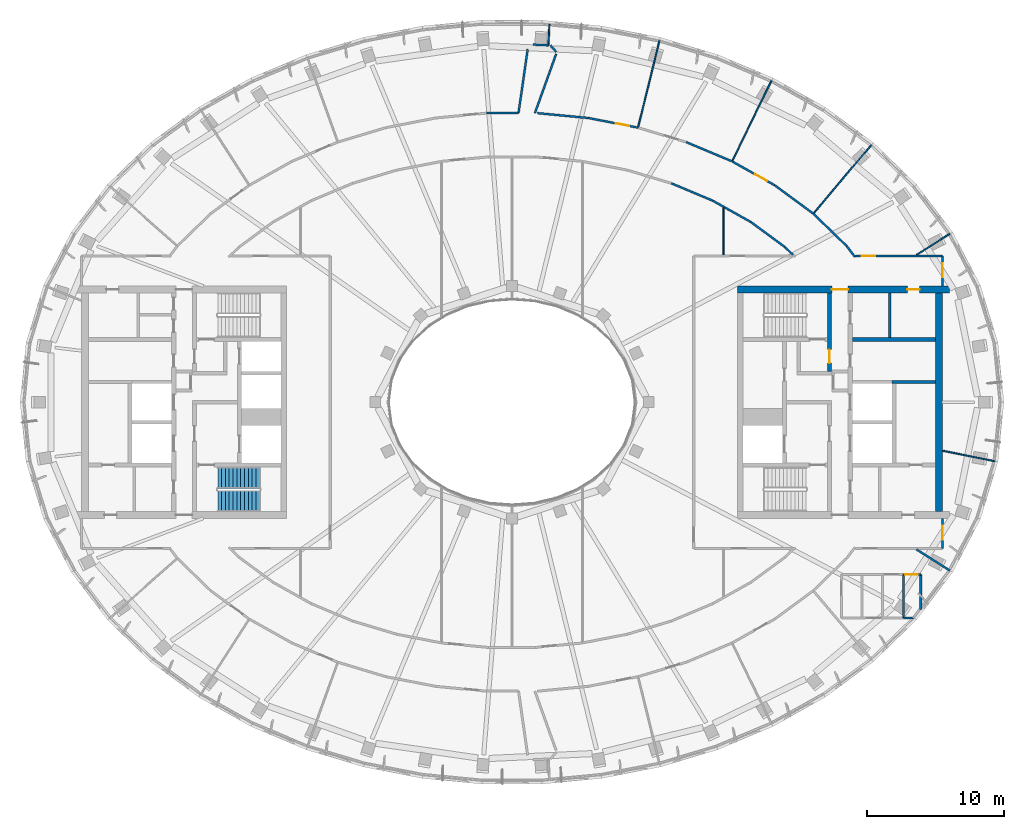
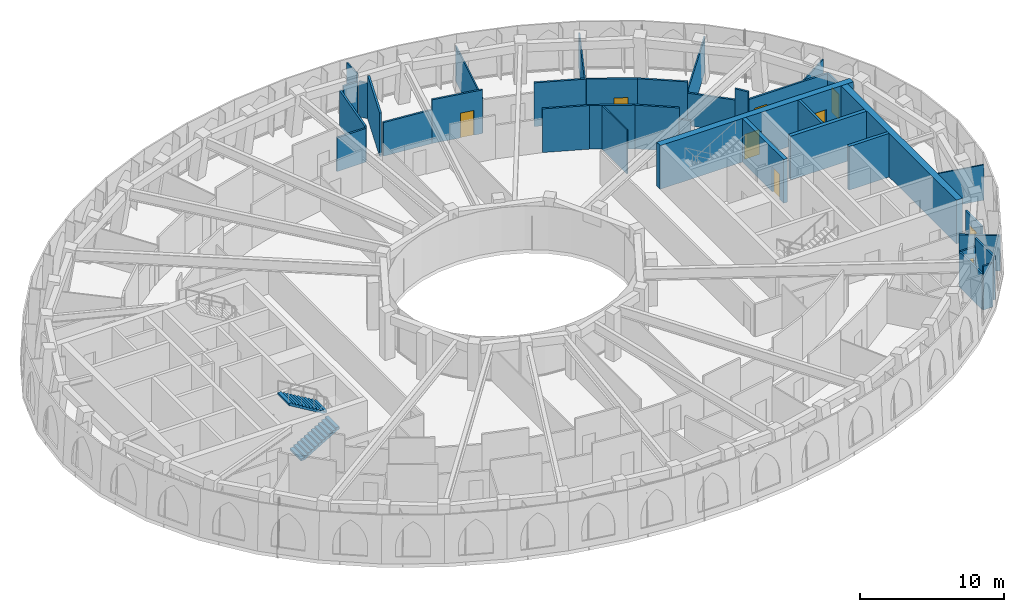
# One storey, part 7 of 15: 37 walls, 9 doors, 2 stair flights, 9 openings, 1 element without a shape of its own.
"""IFC4 building model written with IfcOpenShell, lengths in metres."""

import ifcopenshell
import ifcopenshell.guid

model = None  # the IFC model being written
_history = None  # IfcOwnerHistory: only IFC2X3 demands one
_inside = {}  # id of a spatial element -> (the spatial element, [elements in it])
_under = {}  # id of a project, library or spatial element -> (it, [spatial elements below it])
_declared = {}  # id of a project -> (the project, [libraries it declares])
_typed = {}  # id of a type object -> (the type object, [elements of that type])
_made_of = {}  # id of a material, layer set ... -> (it, [elements and type objects made of it])


def new_model(schema):
    """Start an empty IFC model of exactly this schema.

    Asked for "IFC4X3", IfcOpenShell would pick the latest addendum, in which some entities
    have other attributes; the version numbers below select the first issue.
    IFC2X3 requires an IfcOwnerHistory on every rooted entity: one is made here for all.
    """
    global model, _history
    if schema == "IFC4X3":
        model = ifcopenshell.file(schema_version=(4, 3, 0, 0))
    else:
        model = ifcopenshell.file(schema=schema)
    _inside.clear()
    _under.clear()
    _declared.clear()
    _typed.clear()
    _made_of.clear()
    _history = None
    if model.schema == "IFC2X3":
        org = make("IfcOrganization", Name="unknown")
        user = make(
            "IfcPersonAndOrganization",
            ThePerson=make("IfcPerson", FamilyName="unknown"),
            TheOrganization=org,
        )
        app = make(
            "IfcApplication",
            ApplicationDeveloper=org,
            Version="unknown",
            ApplicationFullName="unknown",
            ApplicationIdentifier="unknown",
        )
        _history = make(
            "IfcOwnerHistory",
            OwningUser=user,
            OwningApplication=app,
            ChangeAction="ADDED",
            CreationDate=0,
        )
    return model


def make(cls, **values):
    """One entity of the class cls with the attributes given. An attribute that is None is left unset."""
    return model.create_entity(
        cls, **{name: value for name, value in values.items() if value is not None}
    )


def rooted(cls, **values):
    """An entity with a GlobalId (a new one), such as an element, a storey or a relation."""
    return make(cls, GlobalId=ifcopenshell.guid.new(), OwnerHistory=_history, **values)


def si_unit(unit_type, name, prefix=None):
    """IfcSIUnit, for example si_unit("LENGTHUNIT", "METRE", prefix="MILLI")."""
    return make("IfcSIUnit", UnitType=unit_type, Prefix=prefix, Name=name)


def assignment(units):
    """IfcUnitAssignment: the units of a project."""
    return None if units is None else make("IfcUnitAssignment", Units=units)


def point(xyz):
    """IfcCartesianPoint."""
    return None if xyz is None else make("IfcCartesianPoint", Coordinates=xyz)


def direction(xyz):
    """IfcDirection."""
    return None if xyz is None else make("IfcDirection", DirectionRatios=xyz)


def frame(location, z_axis=None, x_axis=None):
    """IfcAxis2Placement3D, a coordinate frame: its origin and axes. An axis left out is left unset."""
    return make(
        "IfcAxis2Placement3D",
        Location=point(location),
        Axis=direction(z_axis),
        RefDirection=direction(x_axis),
    )


def frame_2d(location, x_axis=None):
    """IfcAxis2Placement2D, a coordinate frame in the plane: its origin and x axis."""
    return make(
        "IfcAxis2Placement2D", Location=point(location), RefDirection=direction(x_axis)
    )


def origin():
    """The frame at (0, 0, 0) with its axes left unset."""
    return frame((0.0, 0.0, 0.0))


def place(relative_to, where):
    """IfcLocalPlacement: puts the frame where relative to a parent placement (None: the world)."""
    return make(
        "IfcLocalPlacement", PlacementRelTo=relative_to, RelativePlacement=where
    )


def context(
    kind, dimensions, precision=None, world=None, true_north=None, identifier=None
):
    """IfcGeometricRepresentationContext, for example the 3D "Model" context."""
    return make(
        "IfcGeometricRepresentationContext",
        ContextIdentifier=identifier,
        ContextType=kind,
        CoordinateSpaceDimension=dimensions,
        Precision=precision,
        WorldCoordinateSystem=world,
        TrueNorth=true_north,
    )


def subcontext(parent, identifier, kind, view, scale=None):
    """IfcGeometricRepresentationSubContext, for example "Body" below "Model"."""
    return make(
        "IfcGeometricRepresentationSubContext",
        ContextIdentifier=identifier,
        ContextType=kind,
        ParentContext=parent,
        TargetScale=scale,
        TargetView=view,
    )


def project(units=None, contexts=None):
    """IfcProject with its units and contexts."""
    return rooted(
        "IfcProject",
        Name="project",
        RepresentationContexts=contexts,
        UnitsInContext=assignment(units),
    )


def spatial(cls, under=None, at=None, **own):
    """A site, building, storey or space (cls), placed at a placement, below another one or the project."""
    s = rooted(cls, ObjectPlacement=at, **own)
    if under is not None:
        _under.setdefault(under.id(), (under, []))[1].append(s)
    return s


def polyline(points):
    """IfcPolyline through the points."""
    return make("IfcPolyline", Points=[point(p) for p in points])


def profile(cls, at=None, kind="AREA", **sizes):
    """A parametric profile (cls). Its sizes go by their IFC names, for example OverallWidth=200.0."""
    return make(cls, ProfileType=kind, Position=at, **sizes)


def rectangle(**sizes):
    """IfcRectangleProfileDef."""
    return profile("IfcRectangleProfileDef", **sizes)


def outline(outer, holes=None, kind="AREA"):
    """IfcArbitraryClosedProfileDef: a profile drawn as a closed curve; with holes, ...WithVoids."""
    if holes is None:
        return make("IfcArbitraryClosedProfileDef", ProfileType=kind, OuterCurve=outer)
    return make(
        "IfcArbitraryProfileDefWithVoids",
        ProfileType=kind,
        OuterCurve=outer,
        InnerCurves=holes,
    )


def extrude(swept, where, along, depth):
    """IfcExtrudedAreaSolid: the profile swept, set in the frame where, extruded along a direction by depth."""
    return make(
        "IfcExtrudedAreaSolid",
        SweptArea=swept,
        Position=where,
        ExtrudedDirection=direction(along),
        Depth=depth,
    )


def shape(context_of_items, identifier, shape_type, items):
    """IfcShapeRepresentation: the items that make up one representation, for example the "Body"."""
    return make(
        "IfcShapeRepresentation",
        ContextOfItems=context_of_items,
        RepresentationIdentifier=identifier,
        RepresentationType=shape_type,
        Items=items,
    )


def material(Name=None, Category=None):
    """IfcMaterial."""
    return make("IfcMaterial", Name=Name, Category=Category)


def layer(
    of_material, thickness, ventilated=None, Name=None, Category=None, Priority=None
):
    """IfcMaterialLayer: one layer of a wall or slab, of a material (None: an air gap)."""
    return make(
        "IfcMaterialLayer",
        Material=of_material,
        LayerThickness=thickness,
        IsVentilated=ventilated,
        Name=Name,
        Category=Category,
        Priority=Priority,
    )


def layer_set(layers, Name=None):
    """IfcMaterialLayerSet."""
    return make("IfcMaterialLayerSet", MaterialLayers=layers, LayerSetName=Name)


def made_of(thing, what):
    """Note that an element or type object is made of a material, layer set ...; save() writes the relation."""
    if what is not None:
        _made_of.setdefault(what.id(), (what, []))[1].append(thing)
    return thing


def type_object(cls, material=None, **own):
    """A type object (cls), such as IfcWallType, which elements share."""
    return made_of(rooted(cls, **own), material)


def element(
    cls,
    number,
    at=None,
    inside=None,
    cuts=None,
    type_object=None,
    material=None,
    context=None,
    identifier="Body",
    shape_type=None,
    held_by="IfcProductDefinitionShape",
    body=None,
    shapes=None,
    **own,
):
    """One element of the class cls, such as IfcWall. Its Tag is "e" and its number.

    at: its placement. inside: the storey or other place that contains it. cuts: it is an
    opening in that element (IfcRelVoidsElement). A single representation is given by context,
    identifier, shape_type and body (its items); several are given by shapes. held_by: the class
    of the entity that holds the representations. save() writes the other relations.
    """
    e = rooted(cls, Tag="e%d" % number, ObjectPlacement=at, **own)
    if body is not None:
        shapes = [shape(context, identifier, shape_type, body)]
    if shapes is not None:
        e.Representation = make(held_by, Representations=shapes)
    if inside is not None:
        _inside.setdefault(inside.id(), (inside, []))[1].append(e)
    if cuts is not None:
        rooted(
            "IfcRelVoidsElement", RelatingBuildingElement=cuts, RelatedOpeningElement=e
        )
    if type_object is not None:
        _typed.setdefault(type_object.id(), (type_object, []))[1].append(e)
    return made_of(e, material)


def fill(opening, filler):
    """IfcRelFillsElement: the door or window that sits in an opening."""
    return rooted(
        "IfcRelFillsElement",
        RelatingOpeningElement=opening,
        RelatedBuildingElement=filler,
    )


def aggregate(whole, parts):
    """IfcRelAggregates: a whole, such as a stair, and the parts it consists of."""
    return rooted("IfcRelAggregates", RelatingObject=whole, RelatedObjects=parts)


def save(model, path):
    """Write the relations noted so far, then the file.

    IfcRelAggregates (storeys below a building ...), IfcRelContainedInSpatialStructure (elements
    in a storey), IfcRelDefinesByType, IfcRelAssociatesMaterial and IfcRelDeclares: one each for
    every whole, place, type object, material and project.
    """
    for whole, parts in _under.values():
        aggregate(whole, parts)
    for where, things in _inside.values():
        rooted(
            "IfcRelContainedInSpatialStructure",
            RelatedElements=things,
            RelatingStructure=where,
        )
    for kind, things in _typed.values():
        rooted("IfcRelDefinesByType", RelatedObjects=things, RelatingType=kind)
    for what, things in _made_of.values():
        rooted("IfcRelAssociatesMaterial", RelatedObjects=things, RelatingMaterial=what)
    for by, libraries in _declared.values():
        rooted("IfcRelDeclares", RelatingContext=by, RelatedDefinitions=libraries)
    model.write(path)


model = new_model("IFC4")

# Units and contexts
model_context = context("Model", 3, precision=1e-05, world=origin(), true_north=direction((0.0, 1.0)))
body_context = subcontext(model_context, "Body", "Model", "MODEL_VIEW")
ifc_project = project(units=[si_unit("LENGTHUNIT", "METRE"), si_unit("AREAUNIT", "SQUARE_METRE"), si_unit("VOLUMEUNIT", "CUBIC_METRE"), si_unit("PLANEANGLEUNIT", "RADIAN"), si_unit("MASSUNIT", "GRAM", prefix="KILO")], contexts=[model_context])

# Site, building, storey
site_placement = place(None, origin())
site = spatial("IfcSite", under=ifc_project, at=site_placement, CompositionType="ELEMENT")
building_placement = place(site_placement, origin())
building = spatial("IfcBuilding", under=site, at=building_placement, Name="Noorbagh Ring Tower", CompositionType="ELEMENT")
storey_placement = place(building_placement, frame((0.0, 0.0, 331.0)))
storey = spatial("IfcBuildingStorey", under=building, at=storey_placement, Name="L72", CompositionType="ELEMENT", Elevation=331.0)

# Walls
ifc_material_1 = material(Name="Gypsum board on steel studs", Category="steel")
ifc_layer_1 = layer(ifc_material_1, 0.14990234375)
ifc_layer_set_1 = layer_set([ifc_layer_1], Name="Gypsum board on steel studs")
wall_type_1 = type_object("IfcWallType", Name="COMPARTMENT PARTITION 150 EI 60", PredefinedType="PARTITIONING", material=ifc_layer_set_1)
wall_1_placement = place(storey_placement, frame((28.633056640625, -15.800048828125, 0.0), z_axis=(0.0, 0.0, 1.0), x_axis=(0.0, 1.0, 0.0)))
element("IfcWall", 1, at=wall_1_placement, inside=storey, type_object=wall_type_1, Name="L72/wall/P113", PredefinedType="PARTITIONING", context=body_context, shape_type="SweptSolid", body=[
    extrude(rectangle(XDim=3.199951171875, YDim=0.14990234375, at=frame_2d((1.60009765625, 0.0))), origin(), (0.0, 0.0, 1.0), 3.0),
])
wall_2_placement = place(storey_placement, frame((28.633056640625, -15.800048828125, 0.0), z_axis=(0.0, 0.0, 1.0), x_axis=(1.0, 0.0, 0.0)))
element("IfcWall", 2, at=wall_2_placement, inside=storey, type_object=wall_type_1, Name="L72/wall/P114", PredefinedType="PARTITIONING", context=body_context, shape_type="SweptSolid", body=[
    extrude(rectangle(XDim=0.7490234375, YDim=0.14990234375, at=frame_2d((0.37451171875, 0.0))), origin(), (0.0, 0.0, 1.0), 3.699951171875),
])

# Wall, opening, door
wall_3_placement = place(storey_placement, frame((28.633056640625, -12.60009765625, 0.0), z_axis=(0.0, 0.0, 1.0), x_axis=(1.0, 0.0, 0.0)))
wall_3 = element("IfcWall", 3, at=wall_3_placement, inside=storey, type_object=wall_type_1, Name="L72/wall/P115", PredefinedType="PARTITIONING", context=body_context, shape_type="SweptSolid", body=[
    extrude(rectangle(XDim=1.27587890625, YDim=0.14990234375, at=frame_2d((0.637939453125, 0.0))), origin(), (0.0, 0.0, 1.0), 3.0),
])
opening_1_placement = place(wall_3_placement, frame((0.14990234375, 0.0, 0.0)))
opening_1 = element("IfcOpeningElement", 4, at=opening_1_placement, cuts=wall_3, Name="Opening D4", PredefinedType="OPENING", context=body_context, shape_type="SweptSolid", body=[
    extrude(rectangle(XDim=0.89990234375, YDim=2.10009765625, at=frame_2d((0.449951171875, 1.050048828125))), frame((0.0, 0.0849609375, 0.0), z_axis=(0.0, -1.0, 0.0), x_axis=(1.0, 0.0, 0.0)), (0.0, 0.0, 1.0), 0.169921875),
])
ifc_material_2 = material(Name="Timber, painted", Category="wood")
door_type_1 = type_object("IfcDoorType", Name="DOOR 900 X 2100 FD60", OperationType="SINGLE_SWING_LEFT", PredefinedType="DOOR", material=ifc_material_2)
door_1_placement = place(opening_1_placement, origin())
door_1 = element("IfcDoor", 5, at=door_1_placement, inside=storey, type_object=door_type_1, Name="L72-D05", OperationType="SINGLE_SWING_LEFT", OverallHeight=2.10009765625, OverallWidth=0.89990234375, PredefinedType="DOOR", context=body_context, shape_type="SweptSolid", body=[
    extrude(rectangle(XDim=0.89990234375, YDim=2.10009765625, at=frame_2d((0.449951171875, 1.050048828125))), frame((0.0, 0.02490234375, 0.0), z_axis=(0.0, -1.0, 0.0), x_axis=(1.0, 0.0, 0.0)), (0.0, 0.0, 1.0), 0.050048828125),
])
fill(opening_1, door_1)

# Walls
wall_4_placement = place(storey_placement, frame((29.908935546875, -15.160888671875, 0.0), z_axis=(0.0, 0.0, 1.0), x_axis=(0.0, 1.0, 0.0)))
element("IfcWall", 6, at=wall_4_placement, inside=storey, type_object=wall_type_1, Name="L72/wall/P118", PredefinedType="PARTITIONING", context=body_context, shape_type="SweptSolid", body=[
    extrude(rectangle(XDim=2.560791015625, YDim=0.14990234375, at=frame_2d((1.2802734375, 0.0))), origin(), (0.0, 0.0, 1.0), 3.699951171875),
])
ifc_material_3 = material(Name="Gypsum board on steel studs", Category="steel")
ifc_layer_2 = layer(ifc_material_3, 0.199951171875)
ifc_layer_set_2 = layer_set([ifc_layer_2], Name="Gypsum board on steel studs")
wall_type_2 = type_object("IfcWallType", Name="CORE-PARTITION-200", PredefinedType="PARTITIONING", material=ifc_layer_set_2)
wall_5_placement = place(storey_placement, frame((27.64990234375, 4.75, 0.0), z_axis=(0.0, 0.0, 1.0), x_axis=(0.0, 1.0, 0.0)))
element("IfcWall", 7, at=wall_5_placement, inside=storey, type_object=wall_type_2, Name="Core partition E", PredefinedType="PARTITIONING", context=body_context, shape_type="SweptSolid", body=[
    extrude(rectangle(XDim=3.25, YDim=0.199951171875, at=frame_2d((1.625, 0.0))), origin(), (0.0, 0.0, 1.0), 3.699951171875),
])
ifc_material_4 = material(Name="Concrete C50/60", Category="concrete")
ifc_layer_3 = layer(ifc_material_4, 0.25)
ifc_layer_set_3 = layer_set([ifc_layer_3], Name="Concrete C50/60")
wall_type_3 = type_object("IfcWallType", Name="CORE-WALL-250-C50-60-EI120", PredefinedType="SHEAR", material=ifc_layer_set_3)
wall_6_placement = place(storey_placement, frame((27.800048828125, 1.47509765625, 0.0), z_axis=(0.0, 0.0, 1.0), x_axis=(1.0, 0.0, 0.0)))
element("IfcWall", 8, at=wall_6_placement, inside=storey, type_object=wall_type_3, Name="Core wall E", PredefinedType="SHEAR", context=body_context, shape_type="SweptSolid", body=[
    extrude(rectangle(XDim=3.199951171875, YDim=0.25, at=frame_2d((1.60009765625, 0.0))), origin(), (0.0, 0.0, 1.0), 3.699951171875),
])
ifc_material_5 = material(Name="Concrete C50/60", Category="concrete")
ifc_layer_4 = layer(ifc_material_5, 0.300048828125)
ifc_layer_set_4 = layer_set([ifc_layer_4], Name="Concrete C50/60")
wall_type_4 = type_object("IfcWallType", Name="CORE-WALL-300-C50-60-EI240", PredefinedType="SHEAR", material=ifc_layer_set_4)
wall_7_placement = place(storey_placement, frame((24.89990234375, 4.60009765625, 0.0), z_axis=(0.0, 0.0, 1.0), x_axis=(1.0, 0.0, 0.0)))
element("IfcWall", 9, at=wall_7_placement, inside=storey, type_object=wall_type_4, Name="Core wall E", PredefinedType="SHEAR", context=body_context, shape_type="SweptSolid", body=[
    extrude(rectangle(XDim=6.10009765625, YDim=0.300048828125, at=frame_2d((3.050048828125, 0.0))), origin(), (0.0, 0.0, 1.0), 3.699951171875),
])

# Wall, opening, door
wall_8_placement = place(storey_placement, frame((23.22998046875, 2.25, 0.0), z_axis=(0.0, 0.0, 1.0), x_axis=(0.0, 1.0, 0.0)))
wall_8 = element("IfcWall", 10, at=wall_8_placement, inside=storey, type_object=wall_type_4, Name="Core wall E", PredefinedType="SHEAR", context=body_context, shape_type="SweptSolid", body=[
    extrude(rectangle(XDim=5.75, YDim=0.300048828125, at=frame_2d((2.875, 0.0))), origin(), (0.0, 0.0, 1.0), 3.699951171875),
])
opening_2_placement = place(wall_8_placement, frame((0.60009765625, 0.0, 0.0)))
opening_2 = element("IfcOpeningElement", 11, at=opening_2_placement, cuts=wall_8, Name="Opening L72-CE07", PredefinedType="OPENING", context=body_context, shape_type="SweptSolid", body=[
    extrude(rectangle(XDim=1.0, YDim=2.10009765625, at=frame_2d((0.5, 1.050048828125))), frame((0.0, 0.16015625, 0.0), z_axis=(0.0, -1.0, 0.0), x_axis=(1.0, 0.0, 0.0)), (0.0, 0.0, 1.0), 0.320068359375),
])
ifc_material_6 = material(Name="Steel door leaf", Category="steel")
door_type_2 = type_object("IfcDoorType", Name="CORE-DOOR-DVEST", OperationType="SINGLE_SWING_LEFT", PredefinedType="DOOR", material=ifc_material_6)
door_2_placement = place(opening_2_placement, origin())
door_2 = element("IfcDoor", 12, at=door_2_placement, inside=storey, type_object=door_type_2, Name="Stair vestibule door L72-CE07", OperationType="SINGLE_SWING_RIGHT", OverallHeight=2.10009765625, OverallWidth=1.0, PredefinedType="DOOR", context=body_context, shape_type="SweptSolid", body=[
    extrude(rectangle(XDim=1.0, YDim=2.10009765625, at=frame_2d((0.5, 1.050048828125))), frame((0.0, 0.02490234375, 0.0), z_axis=(0.0, -1.0, 0.0), x_axis=(1.0, 0.0, 0.0)), (0.0, 0.0, 1.0), 0.050048828125),
])
fill(opening_2, door_2)

# Wall, openings, doors
ifc_material_7 = material(Name="Concrete C50/60", Category="concrete")
ifc_layer_5 = layer(ifc_material_7, 0.5)
ifc_layer_set_5 = layer_set([ifc_layer_5], Name="Concrete C50/60")
wall_type_5 = type_object("IfcWallType", Name="CORE-WALL-500-C50-60-EI240", PredefinedType="SHEAR", material=ifc_layer_set_5)
wall_9_placement = place(storey_placement, frame((16.5, 8.25, 0.0), z_axis=(0.0, 0.0, 1.0), x_axis=(1.0, 0.0, 0.0)))
wall_9 = element("IfcWall", 13, at=wall_9_placement, inside=storey, type_object=wall_type_5, Name="Core wall E", PredefinedType="SHEAR", context=body_context, shape_type="SweptSolid", body=[
    extrude(rectangle(XDim=15.5, YDim=0.5, at=frame_2d((7.75, 0.0))), origin(), (0.0, 0.0, 1.0), 3.699951171875),
])
opening_3_placement = place(wall_9_placement, frame((6.89990234375, 0.0, 0.0)))
opening_3 = element("IfcOpeningElement", 14, at=opening_3_placement, cuts=wall_9, Name="Opening L72-CE08", PredefinedType="OPENING", context=body_context, shape_type="SweptSolid", body=[
    extrude(rectangle(XDim=1.199951171875, YDim=2.10009765625, at=frame_2d((0.60009765625, 1.050048828125))), frame((0.0, 0.260009765625, 0.0), z_axis=(0.0, -1.0, 0.0), x_axis=(1.0, 0.0, 0.0)), (0.0, 0.0, 1.0), 0.52001953125),
])
opening_4_placement = place(wall_9_placement, frame((12.425048828125, 0.0, 0.0)))
opening_4 = element("IfcOpeningElement", 15, at=opening_4_placement, cuts=wall_9, Name="Opening L72-CE13", PredefinedType="OPENING", context=body_context, shape_type="SweptSolid", body=[
    extrude(rectangle(XDim=0.89990234375, YDim=2.10009765625, at=frame_2d((0.449951171875, 1.050048828125))), frame((0.0, 0.260009765625, 0.0), z_axis=(0.0, -1.0, 0.0), x_axis=(1.0, 0.0, 0.0)), (0.0, 0.0, 1.0), 0.52001953125),
])
ifc_material_8 = material(Name="Steel door leaf", Category="steel")
door_type_3 = type_object("IfcDoorType", Name="CORE-DOOR-DROOM", OperationType="SINGLE_SWING_LEFT", PredefinedType="DOOR", material=ifc_material_8)
door_3_placement = place(opening_4_placement, origin())
door_3 = element("IfcDoor", 16, at=door_3_placement, inside=storey, type_object=door_type_3, Name="Core room door L72-CE13", OperationType="SINGLE_SWING_LEFT", OverallHeight=2.10009765625, OverallWidth=0.89990234375, PredefinedType="DOOR", context=body_context, shape_type="SweptSolid", body=[
    extrude(rectangle(XDim=0.89990234375, YDim=2.10009765625, at=frame_2d((0.449951171875, 1.050048828125))), frame((0.0, 0.02490234375, 0.0), z_axis=(0.0, -1.0, 0.0), x_axis=(1.0, 0.0, 0.0)), (0.0, 0.0, 1.0), 0.050048828125),
])
fill(opening_4, door_3)
ifc_material_9 = material(Name="Steel door leaf", Category="steel")
door_type_4 = type_object("IfcDoorType", Name="CORE-DOOR-PORT", OperationType="DOUBLE_DOOR_DOUBLE_SWING", PredefinedType="DOOR", material=ifc_material_9)
door_4_placement = place(opening_3_placement, origin())
door_4 = element("IfcDoor", 17, at=door_4_placement, inside=storey, type_object=door_type_4, Name="Core entrance door L72-CE08", OperationType="DOUBLE_DOOR_DOUBLE_SWING", OverallHeight=2.10009765625, OverallWidth=1.199951171875, PredefinedType="DOOR", context=body_context, shape_type="SweptSolid", body=[
    extrude(rectangle(XDim=1.199951171875, YDim=2.10009765625, at=frame_2d((0.60009765625, 1.050048828125))), frame((0.0, 0.02490234375, 0.0), z_axis=(0.0, -1.0, 0.0), x_axis=(1.0, 0.0, 0.0)), (0.0, 0.0, 1.0), 0.050048828125),
])
fill(opening_3, door_4)

# Walls
wall_10_placement = place(storey_placement, frame((31.25, -8.0, 0.0), z_axis=(0.0, 0.0, 1.0), x_axis=(0.0, 1.0, 0.0)))
element("IfcWall", 18, at=wall_10_placement, inside=storey, type_object=wall_type_5, Name="Core wall E", PredefinedType="SHEAR", context=body_context, shape_type="SweptSolid", body=[
    extrude(rectangle(XDim=16.0, YDim=0.5, at=frame_2d((8.0, 0.0))), origin(), (0.0, 0.0, 1.0), 3.699951171875),
])
ifc_material_10 = material(Name="Gypsum board on steel studs", Category="steel")
ifc_layer_6 = layer(ifc_material_10, 0.14990234375)
ifc_layer_set_6 = layer_set([ifc_layer_6], Name="Gypsum board on steel studs")
wall_type_6 = type_object("IfcWallType", Name="CORRIDOR PARTITION 150 EI 30", PredefinedType="PARTITIONING", material=ifc_layer_set_6)
wall_11_placement = place(storey_placement, frame((-1.866943359375, 21.14794921875, 0.0), z_axis=(0.0, 0.0, 1.0), x_axis=(1.0, 0.0, 0.0)))
element("IfcWall", 19, at=wall_11_placement, inside=storey, type_object=wall_type_6, Name="L72/wall/P50", PredefinedType="PARTITIONING", context=body_context, shape_type="SweptSolid", body=[
    extrude(rectangle(XDim=2.342041015625, YDim=0.14990234375, at=frame_2d((1.1708984375, 0.0))), origin(), (0.0, 0.0, 1.0), 2.85009765625),
])
wall_12_placement = place(storey_placement, frame((0.47607421875, 21.152099609375, 0.0), z_axis=(0.0, 0.0, 1.0), x_axis=(0.142463390342, 0.98980007194, 0.0)))
element("IfcWall", 20, at=wall_12_placement, inside=storey, type_object=wall_type_6, Name="L72/wall/P56", PredefinedType="PARTITIONING", context=body_context, shape_type="SweptSolid", body=[
    extrude(rectangle(XDim=4.722900390625, YDim=0.14990234375, at=frame_2d((2.361328125, 0.0))), origin(), (0.0, 0.0, 1.0), 3.0),
])
wall_13_placement = place(storey_placement, frame((1.54296875, 26.1630859375, 0.0), z_axis=(0.0, 0.0, 1.0), x_axis=(0.998889164642, -0.047121510593, 0.0)))
element("IfcWall", 21, at=wall_13_placement, inside=storey, type_object=wall_type_6, Name="L72/wall/P58", PredefinedType="PARTITIONING", context=body_context, shape_type="SweptSolid", body=[
    extrude(rectangle(XDim=1.124267578125, YDim=0.14990234375, at=frame_2d((0.56201171875, 0.0))), origin(), (0.0, 0.0, 1.0), 3.0),
])
wall_14_placement = place(storey_placement, frame((1.677001953125, 21.152099609375, 0.0), z_axis=(0.0, 0.0, 1.0), x_axis=(0.338001048978, 0.941145733077, 0.0)))
element("IfcWall", 22, at=wall_14_placement, inside=storey, type_object=wall_type_6, Name="L72/wall/P60", PredefinedType="PARTITIONING", context=body_context, shape_type="SweptSolid", body=[
    extrude(rectangle(XDim=4.597412109375, YDim=0.14990234375, at=frame_2d((2.298828125, 0.0))), origin(), (0.0, 0.0, 1.0), 3.699951171875),
])
wall_15_placement = place(storey_placement, frame((1.866943359375, 21.14794921875, 0.0), z_axis=(0.0, 0.0, 1.0), x_axis=(0.995483694889, -0.09493267725, 0.0)))
element("IfcWall", 23, at=wall_15_placement, inside=storey, type_object=wall_type_6, Name="L72/wall/P64", PredefinedType="PARTITIONING", context=body_context, shape_type="SweptSolid", body=[
    extrude(rectangle(XDim=3.72900390625, YDim=0.14990234375, at=frame_2d((1.864501953125, 0.0))), origin(), (0.0, 0.0, 1.0), 2.85009765625),
])

# Wall, opening, door
wall_16_placement = place(storey_placement, frame((5.5791015625, 20.7939453125, 0.0), z_axis=(0.0, 0.0, 1.0), x_axis=(0.981690282658, -0.190484091027, 0.0)))
wall_16 = element("IfcWall", 24, at=wall_16_placement, inside=storey, type_object=wall_type_6, Name="L72/wall/P72", PredefinedType="PARTITIONING", context=body_context, shape_type="SweptSolid", body=[
    extrude(rectangle(XDim=3.711669921875, YDim=0.14990234375, at=frame_2d((1.85595703125, 0.0))), origin(), (0.0, 0.0, 1.0), 3.699951171875),
])
opening_5_placement = place(wall_16_placement, frame((2.06201171875, 0.0, 0.0)))
opening_5 = element("IfcOpeningElement", 25, at=opening_5_placement, cuts=wall_16, Name="Opening D1", PredefinedType="OPENING", context=body_context, shape_type="SweptSolid", body=[
    extrude(rectangle(XDim=1.0, YDim=2.10009765625, at=frame_2d((0.5, 1.050048828125))), frame((0.0, 0.0849609375, 0.0), z_axis=(0.0, -1.0, 0.0), x_axis=(1.0, 0.0, 0.0)), (0.0, 0.0, 1.0), 0.169921875),
])
ifc_material_11 = material(Name="Timber, painted", Category="wood")
door_type_5 = type_object("IfcDoorType", Name="DOOR 1000 X 2100 FD30", OperationType="SINGLE_SWING_LEFT", PredefinedType="DOOR", material=ifc_material_11)
door_5_placement = place(opening_5_placement, origin())
door_5 = element("IfcDoor", 26, at=door_5_placement, inside=storey, type_object=door_type_5, Name="L72-D15", OperationType="SINGLE_SWING_LEFT", OverallHeight=2.10009765625, OverallWidth=1.0, PredefinedType="DOOR", context=body_context, shape_type="SweptSolid", body=[
    extrude(rectangle(XDim=1.0, YDim=2.10009765625, at=frame_2d((0.5, 1.050048828125))), frame((0.0, 0.02490234375, 0.0), z_axis=(0.0, -1.0, 0.0), x_axis=(1.0, 0.0, 0.0)), (0.0, 0.0, 1.0), 0.050048828125),
])
fill(opening_5, door_5)

# Walls
wall_17_placement = place(storey_placement, frame((11.6650390625, 16.011962890625, 0.0), z_axis=(0.0, 0.0, 1.0), x_axis=(0.921990059586, -0.387213545766, 0.0)))
element("IfcWall", 27, at=wall_17_placement, inside=storey, type_object=wall_type_6, Name="L72/wall/P80", PredefinedType="PARTITIONING", context=body_context, shape_type="SweptSolid", body=[
    extrude(rectangle(XDim=3.287353515625, YDim=0.14990234375, at=frame_2d((1.6435546875, 0.0))), origin(), (0.0, 0.0, 1.0), 3.699951171875),
])
wall_18_placement = place(storey_placement, frame((12.748046875, 19.028076171875, 0.0), z_axis=(0.0, 0.0, 1.0), x_axis=(0.922035113791, -0.38710625019, 0.0)))
element("IfcWall", 28, at=wall_18_placement, inside=storey, type_object=wall_type_6, Name="L72/wall/P82", PredefinedType="PARTITIONING", context=body_context, shape_type="SweptSolid", body=[
    extrude(rectangle(XDim=3.616943359375, YDim=0.14990234375, at=frame_2d((1.80859375, 0.0))), origin(), (0.0, 0.0, 1.0), 3.699951171875),
])
wall_19_placement = place(storey_placement, frame((14.696044921875, 14.739013671875, 0.0), z_axis=(0.0, 0.0, 1.0), x_axis=(0.87243050092, -0.488738192762, 0.0)))
element("IfcWall", 29, at=wall_19_placement, inside=storey, type_object=wall_type_6, Name="L72/wall/P87", PredefinedType="PARTITIONING", context=body_context, shape_type="SweptSolid", body=[
    extrude(rectangle(XDim=3.197998046875, YDim=0.14990234375, at=frame_2d((1.59912109375, 0.0))), origin(), (0.0, 0.0, 1.0), 3.699951171875),
])

# Wall, opening, door
wall_20_placement = place(storey_placement, frame((16.118896484375, 17.610107421875, 0.0), z_axis=(0.0, 0.0, 1.0), x_axis=(0.872413561988, -0.488768428665, 0.0)))
wall_20 = element("IfcWall", 30, at=wall_20_placement, inside=storey, type_object=wall_type_6, Name="L72/wall/P93", PredefinedType="PARTITIONING", context=body_context, shape_type="SweptSolid", body=[
    extrude(rectangle(XDim=3.557861328125, YDim=0.14990234375, at=frame_2d((1.77880859375, 0.0))), origin(), (0.0, 0.0, 1.0), 3.699951171875),
])
opening_6_placement = place(wall_20_placement, frame((1.907958984375, 0.0, 0.0)))
opening_6 = element("IfcOpeningElement", 31, at=opening_6_placement, cuts=wall_20, Name="Opening D1", PredefinedType="OPENING", context=body_context, shape_type="SweptSolid", body=[
    extrude(rectangle(XDim=1.0, YDim=2.10009765625, at=frame_2d((0.5, 1.050048828125))), frame((0.0, 0.0849609375, 0.0), z_axis=(0.0, -1.0, 0.0), x_axis=(1.0, 0.0, 0.0)), (0.0, 0.0, 1.0), 0.169921875),
])
door_6_placement = place(opening_6_placement, origin())
door_6 = element("IfcDoor", 32, at=door_6_placement, inside=storey, type_object=door_type_5, Name="L72-D19", OperationType="SINGLE_SWING_LEFT", OverallHeight=2.10009765625, OverallWidth=1.0, PredefinedType="DOOR", context=body_context, shape_type="SweptSolid", body=[
    extrude(rectangle(XDim=1.0, YDim=2.10009765625, at=frame_2d((0.5, 1.050048828125))), frame((0.0, 0.02490234375, 0.0), z_axis=(0.0, -1.0, 0.0), x_axis=(1.0, 0.0, 0.0)), (0.0, 0.0, 1.0), 0.050048828125),
])
fill(opening_6, door_6)

# Walls
wall_21_placement = place(storey_placement, frame((17.486083984375, 13.176025390625, 0.0), z_axis=(0.0, 0.0, 1.0), x_axis=(0.805604364185, -0.592453887156, 0.0)))
element("IfcWall", 33, at=wall_21_placement, inside=storey, type_object=wall_type_6, Name="L72/wall/P95", PredefinedType="PARTITIONING", context=body_context, shape_type="SweptSolid", body=[
    extrude(rectangle(XDim=3.085693359375, YDim=0.14990234375, at=frame_2d((1.54296875, 0.0))), origin(), (0.0, 0.0, 1.0), 3.699951171875),
])
wall_22_placement = place(storey_placement, frame((19.222900390625, 15.87109375, 0.0), z_axis=(0.0, 0.0, 1.0), x_axis=(0.805597165345, -0.592463675838, 0.0)))
element("IfcWall", 34, at=wall_22_placement, inside=storey, type_object=wall_type_6, Name="L72/wall/P97", PredefinedType="PARTITIONING", context=body_context, shape_type="SweptSolid", body=[
    extrude(rectangle(XDim=3.50048828125, YDim=0.14990234375, at=frame_2d((1.750244140625, 0.0))), origin(), (0.0, 0.0, 1.0), 3.699951171875),
])
wall_23_placement = place(storey_placement, frame((19.971923828125, 11.347900390625, 0.0), z_axis=(0.0, 0.0, 1.0), x_axis=(0.717994705219, -0.696048563878, 0.0)))
element("IfcWall", 35, at=wall_23_placement, inside=storey, type_object=wall_type_6, Name="L72/wall/P99", PredefinedType="PARTITIONING", context=body_context, shape_type="SweptSolid", body=[
    extrude(rectangle(XDim=0.8232421875, YDim=0.14990234375, at=frame_2d((0.41162109375, 0.0))), origin(), (0.0, 0.0, 1.0), 2.75),
])
wall_24_placement = place(storey_placement, frame((22.04296875, 13.797119140625, 0.0), z_axis=(0.0, 0.0, 1.0), x_axis=(0.717739743756, -0.696311467831, 0.0)))
element("IfcWall", 36, at=wall_24_placement, inside=storey, type_object=wall_type_6, Name="L72/wall/P101", PredefinedType="PARTITIONING", context=body_context, shape_type="SweptSolid", body=[
    extrude(rectangle(XDim=3.40673828125, YDim=0.14990234375, at=frame_2d((1.703369140625, 0.0))), origin(), (0.0, 0.0, 1.0), 2.75),
])
wall_25_placement = place(storey_placement, frame((24.488037109375, 11.425048828125, 0.0), z_axis=(0.0, 0.0, 1.0), x_axis=(0.605003176969, -0.796223056597, 0.0)))
element("IfcWall", 37, at=wall_25_placement, inside=storey, type_object=wall_type_6, Name="L72/wall/P108", PredefinedType="PARTITIONING", context=body_context, shape_type="SweptSolid", body=[
    extrude(rectangle(XDim=1.0048828125, YDim=0.14990234375, at=frame_2d((0.50244140625, 0.0))), origin(), (0.0, 0.0, 1.0), 3.699951171875),
])

# Wall, opening, door
wall_26_placement = place(storey_placement, frame((25.133056640625, 10.699951171875, 0.0), z_axis=(0.0, 0.0, 1.0), x_axis=(1.0, 0.0, 0.0)))
wall_26 = element("IfcWall", 38, at=wall_26_placement, inside=storey, type_object=wall_type_6, Name="L72/wall/P110", PredefinedType="PARTITIONING", context=body_context, shape_type="SweptSolid", body=[
    extrude(rectangle(XDim=6.366943359375, YDim=0.14990234375, at=frame_2d((3.18359375, 0.0))), origin(), (0.0, 0.0, 1.0), 3.0),
])
opening_7_placement = place(wall_26_placement, frame((0.452880859375, 0.0, 0.0)))
opening_7 = element("IfcOpeningElement", 39, at=opening_7_placement, cuts=wall_26, Name="Opening D1", PredefinedType="OPENING", context=body_context, shape_type="SweptSolid", body=[
    extrude(rectangle(XDim=1.0, YDim=2.10009765625, at=frame_2d((0.5, 1.050048828125))), frame((0.0, 0.0849609375, 0.0), z_axis=(0.0, -1.0, 0.0), x_axis=(1.0, 0.0, 0.0)), (0.0, 0.0, 1.0), 0.169921875),
])
door_7_placement = place(opening_7_placement, origin())
door_7 = element("IfcDoor", 40, at=door_7_placement, inside=storey, type_object=door_type_5, Name="L72-D20", OperationType="SINGLE_SWING_RIGHT", OverallHeight=2.10009765625, OverallWidth=1.0, PredefinedType="DOOR", context=body_context, shape_type="SweptSolid", body=[
    extrude(rectangle(XDim=1.0, YDim=2.10009765625, at=frame_2d((0.5, 1.050048828125))), frame((0.0, 0.02490234375, 0.0), z_axis=(0.0, -1.0, 0.0), x_axis=(1.0, 0.0, 0.0)), (0.0, 0.0, 1.0), 0.050048828125),
])
fill(opening_7, door_7)

# Wall
wall_27_placement = place(storey_placement, frame((29.60205078125, -10.777099609375, 0.0), z_axis=(0.0, 0.0, 1.0), x_axis=(0.844439342812, -0.535651189033, 0.0)))
element("IfcWall", 41, at=wall_27_placement, inside=storey, type_object=wall_type_6, Name="L72/wall/P116", PredefinedType="PARTITIONING", context=body_context, shape_type="SweptSolid", body=[
    extrude(rectangle(XDim=2.878662109375, YDim=0.14990234375, at=frame_2d((1.439453125, 0.0))), origin(), (0.0, 0.0, 1.0), 3.0),
])

# Wall, opening, door
wall_28_placement = place(storey_placement, frame((31.5, -10.699951171875, 0.0), z_axis=(0.0, 0.0, 1.0), x_axis=(0.0, 1.0, 0.0)))
wall_28 = element("IfcWall", 42, at=wall_28_placement, inside=storey, type_object=wall_type_6, Name="L72/wall/P119", PredefinedType="PARTITIONING", context=body_context, shape_type="SweptSolid", body=[
    extrude(rectangle(XDim=2.199951171875, YDim=0.14990234375, at=frame_2d((1.10009765625, 0.0))), origin(), (0.0, 0.0, 1.0), 3.0),
])
opening_8_placement = place(wall_28_placement, frame((0.64990234375, 0.0, 0.0)))
opening_8 = element("IfcOpeningElement", 43, at=opening_8_placement, cuts=wall_28, Name="Opening D1", PredefinedType="OPENING", context=body_context, shape_type="SweptSolid", body=[
    extrude(rectangle(XDim=1.0, YDim=2.10009765625, at=frame_2d((0.5, 1.050048828125))), frame((0.0, 0.0849609375, 0.0), z_axis=(0.0, -1.0, 0.0), x_axis=(1.0, 0.0, 0.0)), (0.0, 0.0, 1.0), 0.169921875),
])
door_8_placement = place(opening_8_placement, origin())
door_8 = element("IfcDoor", 44, at=door_8_placement, inside=storey, type_object=door_type_5, Name="L72-D21", OperationType="SINGLE_SWING_LEFT", OverallHeight=2.10009765625, OverallWidth=1.0, PredefinedType="DOOR", context=body_context, shape_type="SweptSolid", body=[
    extrude(rectangle(XDim=1.0, YDim=2.10009765625, at=frame_2d((0.5, 1.050048828125))), frame((0.0, 0.02490234375, 0.0), z_axis=(0.0, -1.0, 0.0), x_axis=(1.0, 0.0, 0.0)), (0.0, 0.0, 1.0), 0.050048828125),
])
fill(opening_8, door_8)

wall_29_placement = place(storey_placement, frame((31.5, 8.5, 0.0), z_axis=(0.0, 0.0, 1.0), x_axis=(0.0, 1.0, 0.0)))
wall_29 = element("IfcWall", 45, at=wall_29_placement, inside=storey, type_object=wall_type_6, Name="L72/wall/P121", PredefinedType="PARTITIONING", context=body_context, shape_type="SweptSolid", body=[
    extrude(rectangle(XDim=2.199951171875, YDim=0.14990234375, at=frame_2d((1.10009765625, 0.0))), origin(), (0.0, 0.0, 1.0), 3.0),
])
opening_9_placement = place(wall_29_placement, frame((0.64990234375, 0.0, 0.0)))
opening_9 = element("IfcOpeningElement", 46, at=opening_9_placement, cuts=wall_29, Name="Opening D1", PredefinedType="OPENING", context=body_context, shape_type="SweptSolid", body=[
    extrude(rectangle(XDim=1.0, YDim=2.10009765625, at=frame_2d((0.5, 1.050048828125))), frame((0.0, 0.0849609375, 0.0), z_axis=(0.0, -1.0, 0.0), x_axis=(1.0, 0.0, 0.0)), (0.0, 0.0, 1.0), 0.169921875),
])
door_9_placement = place(opening_9_placement, origin())
door_9 = element("IfcDoor", 47, at=door_9_placement, inside=storey, type_object=door_type_5, Name="L72-D22", OperationType="SINGLE_SWING_RIGHT", OverallHeight=2.10009765625, OverallWidth=1.0, PredefinedType="DOOR", context=body_context, shape_type="SweptSolid", body=[
    extrude(rectangle(XDim=1.0, YDim=2.10009765625, at=frame_2d((0.5, 1.050048828125))), frame((0.0, 0.02490234375, 0.0), z_axis=(0.0, -1.0, 0.0), x_axis=(1.0, 0.0, 0.0)), (0.0, 0.0, 1.0), 0.050048828125),
])
fill(opening_9, door_9)

# Walls
wall_30_placement = place(storey_placement, frame((3.237060546875, 25.62890625, 0.0), z_axis=(0.0, 0.0, 1.0), x_axis=(-0.662573882203, 0.74899656249, 0.0)))
element("IfcWall", 48, at=wall_30_placement, inside=storey, type_object=wall_type_6, Name="L72/wall/P122", PredefinedType="PARTITIONING", context=body_context, shape_type="SweptSolid", body=[
    extrude(rectangle(XDim=0.635498046875, YDim=0.14990234375, at=frame_2d((0.31787109375, 0.0))), origin(), (0.0, 0.0, 1.0), 3.0),
])
ifc_material_12 = material(Name="Gypsum board on steel studs", Category="steel")
ifc_layer_7 = layer(ifc_material_12, 0.10009765625)
ifc_layer_set_7 = layer_set([ifc_layer_7], Name="Gypsum board on steel studs")
wall_type_7 = type_object("IfcWallType", Name="PARTITION 100 GYPSUM", PredefinedType="PARTITIONING", material=ifc_layer_set_7)
wall_31_placement = place(storey_placement, frame((2.6640625, 26.112060546875, 0.0), z_axis=(0.0, 0.0, 1.0), x_axis=(0.047565149415, 0.998868137724, 0.0)))
element("IfcWall", 49, at=wall_31_placement, inside=storey, type_object=wall_type_7, Name="L72/wall/P66", PredefinedType="PARTITIONING", context=body_context, shape_type="SweptSolid", body=[
    extrude(rectangle(XDim=1.53466796875, YDim=0.10009765625, at=frame_2d((0.767333984375, 0.0))), origin(), (0.0, 0.0, 1.0), 3.699951171875),
])
wall_32_placement = place(storey_placement, frame((9.222900390625, 20.091064453125, 0.0), z_axis=(0.0, 0.0, 1.0), x_axis=(0.23952849615, 0.970889334339, 0.0)))
element("IfcWall", 50, at=wall_32_placement, inside=storey, type_object=wall_type_7, Name="L72/wall/P76", PredefinedType="PARTITIONING", context=body_context, shape_type="SweptSolid", body=[
    extrude(rectangle(XDim=6.554931640625, YDim=0.10009765625, at=frame_2d((3.27734375, 0.0))), origin(), (0.0, 0.0, 1.0), 3.0),
])
wall_33_placement = place(storey_placement, frame((15.47998046875, 10.77490234375, 0.0), z_axis=(0.0, 0.0, 1.0), x_axis=(0.0, 1.0, 0.0)))
element("IfcWall", 51, at=wall_33_placement, inside=storey, type_object=wall_type_7, Name="L72/wall/P89", PredefinedType="PARTITIONING", context=body_context, shape_type="SweptSolid", body=[
    extrude(rectangle(XDim=3.43505859375, YDim=0.10009765625, at=frame_2d((1.717529296875, 0.0))), origin(), (0.0, 0.0, 1.0), 3.699951171875),
])
wall_34_placement = place(storey_placement, frame((16.10400390625, 17.623046875, 0.0), z_axis=(0.0, 0.0, 1.0), x_axis=(0.438658387227, 0.898653892951, 0.0)))
element("IfcWall", 52, at=wall_34_placement, inside=storey, type_object=wall_type_7, Name="L72/wall/P91", PredefinedType="PARTITIONING", context=body_context, shape_type="SweptSolid", body=[
    extrude(rectangle(XDim=6.556396484375, YDim=0.10009765625, at=frame_2d((3.2783203125, 0.0))), origin(), (0.0, 0.0, 1.0), 3.0),
])
wall_35_placement = place(storey_placement, frame((22.0458984375, 13.800048828125, 0.0), z_axis=(0.0, 0.0, 1.0), x_axis=(0.64582212707, 0.763487904414, 0.0)))
element("IfcWall", 53, at=wall_35_placement, inside=storey, type_object=wall_type_7, Name="L72/wall/P103", PredefinedType="PARTITIONING", context=body_context, shape_type="SweptSolid", body=[
    extrude(rectangle(XDim=6.560791015625, YDim=0.10009765625, at=frame_2d((3.2802734375, 0.0))), origin(), (0.0, 0.0, 1.0), 3.0),
])
wall_36_placement = place(storey_placement, frame((29.60205078125, 10.777099609375, 0.0), z_axis=(0.0, 0.0, 1.0), x_axis=(0.844439342812, 0.535651189033, 0.0)))
element("IfcWall", 54, at=wall_36_placement, inside=storey, type_object=wall_type_7, Name="L72/wall/P117", PredefinedType="PARTITIONING", context=body_context, shape_type="SweptSolid", body=[
    extrude(rectangle(XDim=2.878662109375, YDim=0.10009765625, at=frame_2d((1.439453125, 0.0))), origin(), (0.0, 0.0, 1.0), 3.0),
])
wall_37_placement = place(storey_placement, frame((31.5, -3.549072265625, 0.0), z_axis=(0.0, 0.0, 1.0), x_axis=(0.980270539234, -0.197660491524, 0.0)))
element("IfcWall", 55, at=wall_37_placement, inside=storey, type_object=wall_type_7, Name="L72/wall/P120", PredefinedType="PARTITIONING", context=body_context, shape_type="SweptSolid", body=[
    extrude(rectangle(XDim=3.890625, YDim=0.10009765625, at=frame_2d((1.9453125, 0.0))), origin(), (0.0, 0.0, 1.0), 3.0),
])

# Stair, stair flights
ifc_material_13 = material(Name="Concrete C40/50", Category="concrete")
stair_type = type_object("IfcStairType", Name="CORE-STAIR", PredefinedType="HALF_TURN_STAIR", material=ifc_material_13)
stair_placement = place(storey_placement, origin())
stair = element("IfcStair", 56, at=stair_placement, inside=storey, type_object=stair_type, Name="L72 Exit stair ST2", PredefinedType="HALF_TURN_STAIR")
ifc_material_14 = material(Name="Concrete C40/50", Category="concrete")
stair_flight_type = type_object("IfcStairFlightType", Name="CORE-STAIR-FLIGHT", PredefinedType="STRAIGHT", material=ifc_material_14)
stair_flight_1_placement = place(storey_placement, frame((-21.530029296875, -7.22509765625, 0.0), z_axis=(0.0, 0.0, 1.0), x_axis=(1.0, 0.0, 0.0)))
stair_flight_1 = element("IfcStairFlight", 57, at=stair_flight_1_placement, type_object=stair_flight_type, Name="ST2 flight 1", NumberOfRisers=12, NumberOfTreads=11, PredefinedType="STRAIGHT", RiserHeight=0.166666667, TreadLength=0.28, context=body_context, shape_type="SweptSolid", body=[
    extrude(outline(polyline([(0.0, 0.0), (0.0, 0.166748046875), (0.280029296875, 0.166748046875), (0.280029296875, 0.333251953125), (0.56005859375, 0.333251953125), (0.56005859375, 0.5), (0.840087890625, 0.5), (0.840087890625, 0.666748046875), (1.1201171875, 0.666748046875), (1.1201171875, 0.833251953125), (1.39990234375, 0.833251953125), (1.39990234375, 1.0), (1.679931640625, 1.0), (1.679931640625, 1.166748046875), (1.9599609375, 1.166748046875), (1.9599609375, 1.333251953125), (2.239990234375, 1.333251953125), (2.239990234375, 1.5), (2.52001953125, 1.5), (2.52001953125, 1.666748046875), (2.800048828125, 1.666748046875), (2.800048828125, 1.833251953125), (3.080078125, 1.833251953125), (3.080078125, 2.0), (3.080078125, 1.658935546875), (0.29296875, 0.0), (0.0, 0.0)])), frame((0.0, 0.77490234375, 0.0), z_axis=(0.0, -1.0, 0.0), x_axis=(1.0, 0.0, 0.0)), (0.0, 0.0, 1.0), 1.550048828125),
])
stair_flight_2_placement = place(storey_placement, frame((-18.449951171875, -5.52490234375, 2.0), z_axis=(0.0, 0.0, 1.0), x_axis=(-1.0, 0.0, 0.0)))
stair_flight_2 = element("IfcStairFlight", 58, at=stair_flight_2_placement, type_object=stair_flight_type, Name="ST2 flight 2", NumberOfRisers=12, NumberOfTreads=11, PredefinedType="STRAIGHT", RiserHeight=0.166666667, TreadLength=0.28, context=body_context, shape_type="SweptSolid", body=[
    extrude(outline(polyline([(0.0, 0.0), (0.0, 0.166748046875), (0.280029296875, 0.166748046875), (0.280029296875, 0.333251953125), (0.56005859375, 0.333251953125), (0.56005859375, 0.5), (0.840087890625, 0.5), (0.840087890625, 0.666748046875), (1.1201171875, 0.666748046875), (1.1201171875, 0.833251953125), (1.39990234375, 0.833251953125), (1.39990234375, 1.0), (1.679931640625, 1.0), (1.679931640625, 1.166748046875), (1.9599609375, 1.166748046875), (1.9599609375, 1.333251953125), (2.239990234375, 1.333251953125), (2.239990234375, 1.5), (2.52001953125, 1.5), (2.52001953125, 1.666748046875), (2.800048828125, 1.666748046875), (2.800048828125, 1.833251953125), (3.080078125, 1.833251953125), (3.080078125, 2.0), (3.080078125, 1.658935546875), (0.29296875, 0.0), (0.0, 0.0)])), frame((0.0, 0.77490234375, 0.0), z_axis=(0.0, -1.0, 0.0), x_axis=(1.0, 0.0, 0.0)), (0.0, 0.0, 1.0), 1.550048828125),
])
aggregate(stair, [stair_flight_1, stair_flight_2])

save(model, "model.ifc")
